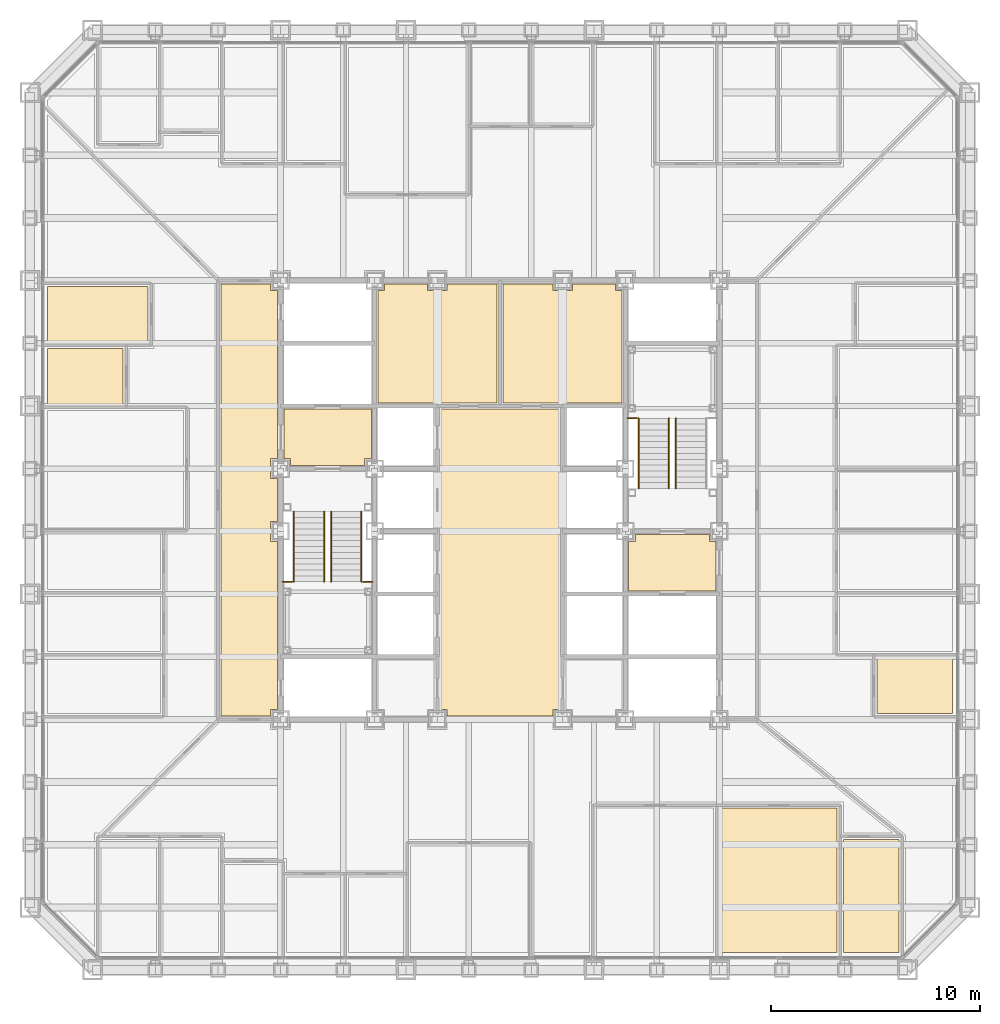
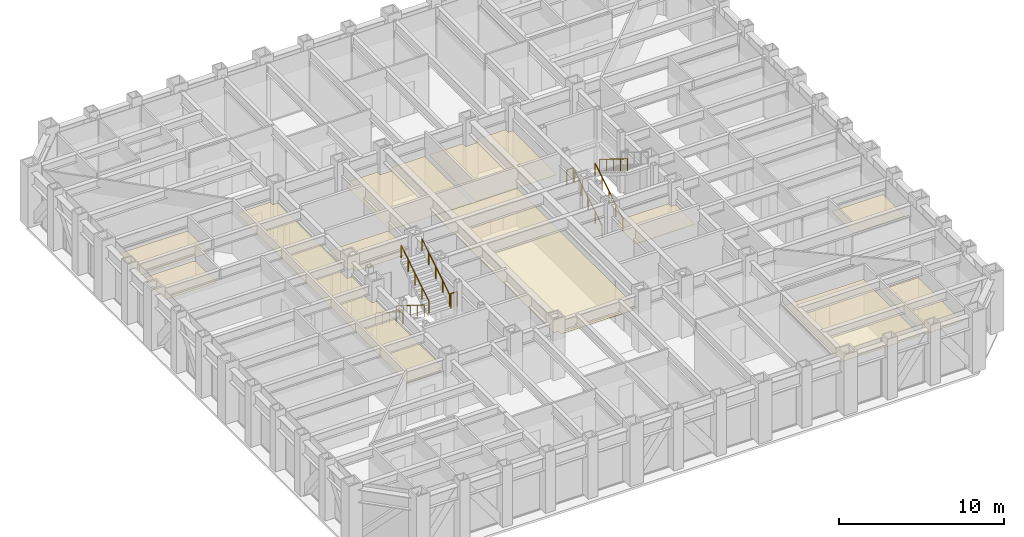
# One storey, part 15 of 17: 11 coverings, 10 railings.
"""IFC4 building model written with IfcOpenShell, lengths in metres."""

from ifc_helpers import new_model, si_unit, direction, frame, origin, origin_2d, place, context, subcontext, project, spatial, polyline, circle, outline, extrude, material, layer, layer_set, type_object, element, save


model = new_model("IFC4")

# Units and contexts
model_context = context("Model", 3, precision=1e-05, world=origin(), true_north=direction((0.0, 1.0)))
body_context = subcontext(model_context, "Body", "Model", "MODEL_VIEW")
ifc_project = project(units=[si_unit("LENGTHUNIT", "METRE"), si_unit("AREAUNIT", "SQUARE_METRE"), si_unit("VOLUMEUNIT", "CUBIC_METRE"), si_unit("PLANEANGLEUNIT", "RADIAN"), si_unit("MASSUNIT", "GRAM", prefix="KILO")], contexts=[model_context])

# Site, building, storey
site_placement = place(None, origin())
site = spatial("IfcSite", under=ifc_project, at=site_placement, CompositionType="ELEMENT")
building_placement = place(site_placement, origin())
building = spatial("IfcBuilding", under=site, at=building_placement, Name="Chuquiago Exchange Tower", CompositionType="ELEMENT")
storey_placement = place(building_placement, frame((0.0, 0.0, 37.800048828125)))
storey = spatial("IfcBuildingStorey", under=building, at=storey_placement, Name="L07", CompositionType="ELEMENT", Elevation=37.800048828125)

# Coverings
ifc_material_1 = material(Name="Mineral fibre tile, 600 x 600, on pale metal grid", Category="mineral fibre")
ifc_layer_1 = layer(ifc_material_1, 0.02001953125)
ifc_layer_set_1 = layer_set([ifc_layer_1], Name="CL1 suspended tile ceiling 20")
covering_type_1 = type_object("IfcCoveringType", Name="CL1 suspended tile ceiling 20", PredefinedType="CEILING", material=ifc_layer_set_1)
covering_1_placement = place(storey_placement, frame((0.0, 0.0, 3.0)))
element("IfcCovering", 1, at=covering_1_placement, inside=storey, type_object=covering_type_1, Name="Ceiling Market data room", PredefinedType="CEILING", context=body_context, shape_type="SweptSolid", body=[
    extrude(outline(polyline([(33.01611328125, 7.75), (38.6396484375, 7.75), (38.6396484375, 0.85009765625), (33.01611328125, 0.85009765625), (33.01611328125, 7.75)])), origin(), (0.0, 0.0, 1.0), 0.02001953125),
])
covering_2_placement = place(storey_placement, frame((0.0, 0.0, 3.0)))
element("IfcCovering", 2, at=covering_2_placement, inside=storey, type_object=covering_type_1, Name="Ceiling Trading support room", PredefinedType="CEILING", context=body_context, shape_type="SweptSolid", body=[
    extrude(outline(polyline([(38.939697265625, 0.85009765625), (38.939697265625, 6.25), (41.6015625, 6.25), (41.6015625, 0.85009765625), (38.939697265625, 0.85009765625)])), origin(), (0.0, 0.0, 1.0), 0.02001953125),
])
covering_3_placement = place(storey_placement, frame((0.0, 0.0, 3.0)))
element("IfcCovering", 3, at=covering_3_placement, inside=storey, type_object=covering_type_1, Name="Ceiling Focus room", PredefinedType="CEILING", context=body_context, shape_type="SweptSolid", body=[
    extrude(outline(polyline([(40.550048828125, 12.28369140625), (40.550048828125, 14.945556640625), (44.14990234375, 14.945556640625), (44.14990234375, 12.28369140625), (40.550048828125, 12.28369140625)])), origin(), (0.0, 0.0, 1.0), 0.02001953125),
])
covering_4_placement = place(storey_placement, frame((0.0, 0.0, 3.0)))
element("IfcCovering", 4, at=covering_4_placement, inside=storey, type_object=covering_type_1, Name="Ceiling Focus room", PredefinedType="CEILING", context=body_context, shape_type="SweptSolid", body=[
    extrude(outline(polyline([(4.449951171875, 29.75439453125), (4.449951171875, 27.092529296875), (0.85009765625, 27.092529296875), (0.85009765625, 29.75439453125), (4.449951171875, 29.75439453125)])), origin(), (0.0, 0.0, 1.0), 0.02001953125),
])
covering_5_placement = place(storey_placement, frame((0.0, 0.0, 3.0)))
element("IfcCovering", 5, at=covering_5_placement, inside=storey, type_object=covering_type_1, Name="Ceiling Wellness room", PredefinedType="CEILING", context=body_context, shape_type="SweptSolid", body=[
    extrude(outline(polyline([(5.64990234375, 32.71630859375), (5.64990234375, 30.054443359375), (0.85009765625, 30.054443359375), (0.85009765625, 32.71630859375), (5.64990234375, 32.71630859375)])), origin(), (0.0, 0.0, 1.0), 0.02001953125),
])
covering_6_placement = place(storey_placement, frame((0.0, 0.0, 3.0)))
element("IfcCovering", 6, at=covering_6_placement, inside=storey, type_object=covering_type_1, Name="Ceiling Circulation corridor", PredefinedType="CEILING", context=body_context, shape_type="SweptSolid", body=[
    extrude(outline(polyline([(9.14990234375, 12.14990234375), (9.14990234375, 32.85009765625), (11.52490234375, 32.85009765625), (11.52490234375, 32.52490234375), (11.85009765625, 32.52490234375), (11.85009765625, 24.47509765625), (11.52490234375, 24.47509765625), (11.52490234375, 23.52490234375), (11.85009765625, 23.52490234375), (11.85009765625, 21.47509765625), (11.52490234375, 21.47509765625), (11.52490234375, 20.52490234375), (11.85009765625, 20.52490234375), (11.85009765625, 12.47509765625), (11.52490234375, 12.47509765625), (11.52490234375, 12.14990234375), (9.14990234375, 12.14990234375)])), origin(), (0.0, 0.0, 1.0), 0.02001953125),
])
ifc_material_2 = material(Name="Moisture resistant plasterboard on metal frame", Category="gypsum")
ifc_layer_2 = layer(ifc_material_2, 0.014892578125)
ifc_layer_set_2 = layer_set([ifc_layer_2], Name="CL2 moisture resistant ceiling 15")
covering_type_2 = type_object("IfcCoveringType", Name="CL2 moisture resistant ceiling 15", PredefinedType="CEILING", material=ifc_layer_set_2)
covering_7_placement = place(storey_placement, frame((0.0, 0.0, 2.599853515625)))
element("IfcCovering", 7, at=covering_7_placement, inside=storey, type_object=covering_type_2, Name="Ceiling Male WC", PredefinedType="CEILING", context=body_context, shape_type="SweptSolid", body=[
    extrude(outline(polyline([(16.64990234375, 27.14990234375), (16.64990234375, 32.52490234375), (16.97509765625, 32.52490234375), (16.97509765625, 32.85009765625), (19.02490234375, 32.85009765625), (19.02490234375, 32.52490234375), (19.97509765625, 32.52490234375), (19.97509765625, 32.85009765625), (22.35009765625, 32.85009765625), (22.35009765625, 27.14990234375), (16.64990234375, 27.14990234375)])), origin(), (0.0, 0.0, 1.0), 0.01513671875),
])
covering_8_placement = place(storey_placement, frame((0.0, 0.0, 2.599853515625)))
element("IfcCovering", 8, at=covering_8_placement, inside=storey, type_object=covering_type_2, Name="Ceiling Female WC", PredefinedType="CEILING", context=body_context, shape_type="SweptSolid", body=[
    extrude(outline(polyline([(22.64990234375, 27.14990234375), (22.64990234375, 32.85009765625), (25.02490234375, 32.85009765625), (25.02490234375, 32.52490234375), (25.97509765625, 32.52490234375), (25.97509765625, 32.85009765625), (28.02490234375, 32.85009765625), (28.02490234375, 32.52490234375), (28.35009765625, 32.52490234375), (28.35009765625, 27.14990234375), (22.64990234375, 27.14990234375)])), origin(), (0.0, 0.0, 1.0), 0.01513671875),
])
ifc_material_3 = material(Name="Pale metal plank ceiling, perforated", Category="aluminium")
ifc_layer_3 = layer(ifc_material_3, 0.030029296875)
ifc_layer_set_3 = layer_set([ifc_layer_3], Name="CL3 metal plank ceiling 30")
covering_type_3 = type_object("IfcCoveringType", Name="CL3 metal plank ceiling 30", PredefinedType="CEILING", material=ifc_layer_set_3)
covering_9_placement = place(storey_placement, frame((0.0, 0.0, 2.800048828125)))
element("IfcCovering", 9, at=covering_9_placement, inside=storey, type_object=covering_type_3, Name="Ceiling Lift lobby", PredefinedType="CEILING", context=body_context, shape_type="SweptSolid", body=[
    extrude(outline(polyline([(19.97509765625, 12.14990234375), (19.97509765625, 12.47509765625), (19.64990234375, 12.47509765625), (19.64990234375, 26.85009765625), (25.35009765625, 26.85009765625), (25.35009765625, 12.47509765625), (25.02490234375, 12.47509765625), (25.02490234375, 12.14990234375), (19.97509765625, 12.14990234375)])), origin(), (0.0, 0.0, 1.0), 0.02978515625),
])
covering_10_placement = place(storey_placement, frame((0.0, 0.0, 2.800048828125)))
element("IfcCovering", 10, at=covering_10_placement, inside=storey, type_object=covering_type_3, Name="Ceiling Firefighting lobby", PredefinedType="CEILING", context=body_context, shape_type="SweptSolid", body=[
    extrude(outline(polyline([(12.47509765625, 24.14990234375), (12.47509765625, 24.47509765625), (12.14990234375, 24.47509765625), (12.14990234375, 26.85009765625), (16.35009765625, 26.85009765625), (16.35009765625, 24.47509765625), (16.02490234375, 24.47509765625), (16.02490234375, 24.14990234375), (12.47509765625, 24.14990234375)])), origin(), (0.0, 0.0, 1.0), 0.02978515625),
])
covering_11_placement = place(storey_placement, frame((0.0, 0.0, 2.800048828125)))
element("IfcCovering", 11, at=covering_11_placement, inside=storey, type_object=covering_type_3, Name="Ceiling Firefighting lobby", PredefinedType="CEILING", context=body_context, shape_type="SweptSolid", body=[
    extrude(outline(polyline([(28.64990234375, 18.14990234375), (28.64990234375, 20.52490234375), (28.97509765625, 20.52490234375), (28.97509765625, 20.85009765625), (32.52490234375, 20.85009765625), (32.52490234375, 20.52490234375), (32.85009765625, 20.52490234375), (32.85009765625, 18.14990234375), (28.64990234375, 18.14990234375)])), origin(), (0.0, 0.0, 1.0), 0.02978515625),
])

# Railings
ifc_material_4 = material(Name="Pale metal guard with safety glass infill", Category="glass")
railing_type_1 = type_object("IfcRailingType", Name="GR1 guard 1100", PredefinedType="GUARDRAIL", material=ifc_material_4)
for number, where, name in (
    (12, (12.10009765625, 18.590087890625, 2.25), "Guard ST1 L07 landing 2"),
    (13, (15.945068359375, 18.590087890625, 2.25), "Guard ST1 L07 landing 2"),
    (14, (28.60009765625, 26.409912109375, 2.25), "Guard ST2 L07 landing 2"),
):
    element("IfcRailing", number, at=place(storey_placement, frame(where)), inside=storey, type_object=railing_type_1, Name=name, PredefinedType="GUARDRAIL", context=body_context, shape_type="SweptSolid", body=[
        extrude(circle(Radius=0.02392578125, at=origin_2d()), frame((0.0, 0.0, 1.076171875), z_axis=(1.0, 0.0, 0.0), x_axis=(0.0, 1.0, 0.0)), (0.0, 0.0, 1.0), 0.454833984375),
        extrude(circle(Radius=0.02099609375, at=origin_2d()), origin(), (0.0, 0.0, 1.0), 1.052001953125),
        extrude(circle(Radius=0.02099609375, at=origin_2d()), frame((0.454833984375, 0.0, 0.0)), (0.0, 0.0, 1.0), 1.052001953125),
    ])
ifc_material_5 = material(Name="Pale metal handrail", Category="steel")
railing_type_2 = type_object("IfcRailingType", Name="HR1 handrail 900", PredefinedType="HANDRAIL", material=ifc_material_5)
for number, where, name in (
    (15, (12.635009765625, 21.949951171875, 0.173095703125), "Handrail ST1 L07 flight 1"),
    (16, (14.0849609375, 21.949951171875, 0.173095703125), "Handrail ST1 L07 flight 1"),
):
    element("IfcRailing", number, at=place(storey_placement, frame(where)), inside=storey, type_object=railing_type_2, Name=name, PredefinedType="HANDRAIL", context=body_context, shape_type="SweptSolid", body=[
        extrude(circle(Radius=0.02392578125, at=origin_2d()), frame((0.0, 0.0, 0.8759765625), z_axis=(0.0, -0.850606129759, 0.525803396734), x_axis=(1.0, 0.0, 0.0)), (0.0, 0.0, 1.0), 3.949951171875),
        extrude(circle(Radius=0.02099609375, at=origin_2d()), origin(), (0.0, 0.0, 1.0), 0.851806640625),
        extrude(circle(Radius=0.02099609375, at=origin_2d()), frame((0.0, -0.83984375, 0.519287109375)), (0.0, 0.0, 1.0), 0.851806640625),
        extrude(circle(Radius=0.02099609375, at=origin_2d()), frame((0.0, -1.679931640625, 1.03857421875)), (0.0, 0.0, 1.0), 0.851806640625),
        extrude(circle(Radius=0.02099609375, at=origin_2d()), frame((0.0, -2.52001953125, 1.5576171875)), (0.0, 0.0, 1.0), 0.851806640625),
        extrude(circle(Radius=0.02099609375, at=origin_2d()), frame((0.0, -3.35986328125, 2.076904296875)), (0.0, 0.0, 1.0), 0.851806640625),
    ])
for number, where, name in (
    (17, (15.864990234375, 18.590087890625, 2.423095703125), "Handrail ST1 L07 flight 2"),
    (18, (14.4150390625, 18.590087890625, 2.423095703125), "Handrail ST1 L07 flight 2"),
    (19, (30.5849609375, 23.050048828125, 0.173095703125), "Handrail ST2 L07 flight 1"),
    (20, (29.135009765625, 23.050048828125, 0.173095703125), "Handrail ST2 L07 flight 1"),
):
    element("IfcRailing", number, at=place(storey_placement, frame(where)), inside=storey, type_object=railing_type_2, Name=name, PredefinedType="HANDRAIL", context=body_context, shape_type="SweptSolid", body=[
        extrude(circle(Radius=0.02392578125, at=origin_2d()), frame((0.0, 0.0, 0.8759765625), z_axis=(0.0, 0.850606129759, 0.525803396734), x_axis=(-1.0, 0.0, 0.0)), (0.0, 0.0, 1.0), 3.949951171875),
        extrude(circle(Radius=0.02099609375, at=origin_2d()), origin(), (0.0, 0.0, 1.0), 0.851806640625),
        extrude(circle(Radius=0.02099609375, at=origin_2d()), frame((0.0, 0.83984375, 0.519287109375)), (0.0, 0.0, 1.0), 0.851806640625),
        extrude(circle(Radius=0.02099609375, at=origin_2d()), frame((0.0, 1.679931640625, 1.03857421875)), (0.0, 0.0, 1.0), 0.851806640625),
        extrude(circle(Radius=0.02099609375, at=origin_2d()), frame((0.0, 2.52001953125, 1.5576171875)), (0.0, 0.0, 1.0), 0.851806640625),
        extrude(circle(Radius=0.02099609375, at=origin_2d()), frame((0.0, 3.35986328125, 2.076904296875)), (0.0, 0.0, 1.0), 0.851806640625),
    ])
railing_placement = place(storey_placement, frame((30.9150390625, 26.409912109375, 2.423095703125)))
element("IfcRailing", 21, at=railing_placement, inside=storey, type_object=railing_type_2, Name="Handrail ST2 L07 flight 2", PredefinedType="HANDRAIL", context=body_context, shape_type="SweptSolid", body=[
    extrude(circle(Radius=0.02392578125, at=origin_2d()), frame((0.0, 0.0, 0.8759765625), z_axis=(0.0, -0.850606129759, 0.525803396734), x_axis=(1.0, 0.0, 0.0)), (0.0, 0.0, 1.0), 3.949951171875),
    extrude(circle(Radius=0.02099609375, at=origin_2d()), origin(), (0.0, 0.0, 1.0), 0.851806640625),
    extrude(circle(Radius=0.02099609375, at=origin_2d()), frame((0.0, -0.83984375, 0.519287109375)), (0.0, 0.0, 1.0), 0.851806640625),
    extrude(circle(Radius=0.02099609375, at=origin_2d()), frame((0.0, -1.679931640625, 1.03857421875)), (0.0, 0.0, 1.0), 0.851806640625),
    extrude(circle(Radius=0.02099609375, at=origin_2d()), frame((0.0, -2.52001953125, 1.5576171875)), (0.0, 0.0, 1.0), 0.851806640625),
    extrude(circle(Radius=0.02099609375, at=origin_2d()), frame((0.0, -3.35986328125, 2.076904296875)), (0.0, 0.0, 1.0), 0.851806640625),
])

save(model, "model.ifc")
